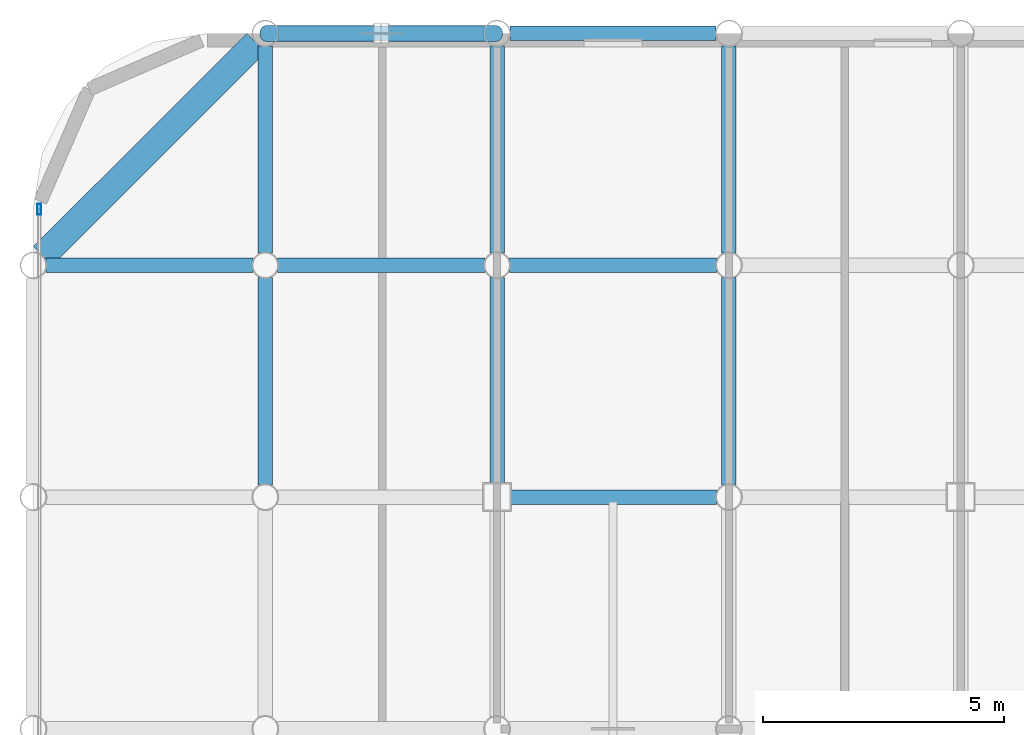
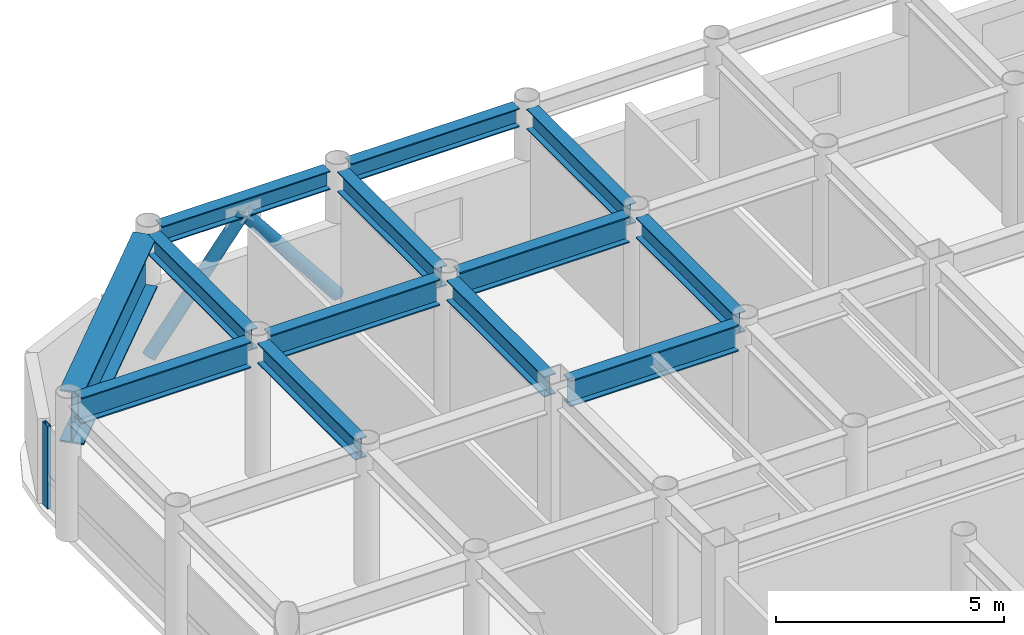
# One storey, part 12 of 22: 13 beams, 3 members, 1 element without a shape of its own.
"""IFC4 building model written with IfcOpenShell, lengths in metres."""

from ifc_helpers import new_model, si_unit, direction, frame, origin, origin_2d, place, context, subcontext, project, spatial, hollow_rectangle, hollow_circle, i_section, extrude, material, layer, layer_set, material_profile, profile_set, type_object, element, aggregate, save


model = new_model("IFC4")

# Units and contexts
model_context = context("Model", 3, precision=1e-05, world=origin(), true_north=direction((0.0, 1.0)))
body_context = subcontext(model_context, "Body", "Model", "MODEL_VIEW")
ifc_project = project(units=[si_unit("LENGTHUNIT", "METRE"), si_unit("AREAUNIT", "SQUARE_METRE"), si_unit("VOLUMEUNIT", "CUBIC_METRE"), si_unit("PLANEANGLEUNIT", "RADIAN"), si_unit("MASSUNIT", "GRAM", prefix="KILO")], contexts=[model_context])

# Site, building, storey
site_placement = place(None, origin())
site = spatial("IfcSite", under=ifc_project, at=site_placement, CompositionType="ELEMENT")
building_placement = place(site_placement, origin())
building = spatial("IfcBuilding", under=site, at=building_placement, Name="Kallvorn Hotel Tower", CompositionType="ELEMENT")
storey_placement = place(building_placement, frame((0.0, 0.0, 256.949951171875)))
storey = spatial("IfcBuildingStorey", under=building, at=storey_placement, Name="L64", CompositionType="ELEMENT", Elevation=256.949951171875)

# Beams
ifc_material_1 = material(Name="Structural steel S355JR", Category="steel")
ifc_material_profile_1 = material_profile(ifc_material_1, i_section(OverallWidth=0.300048828125, OverallDepth=0.5, WebThickness=0.014404296875, FlangeThickness=0.028076171875, at=origin_2d()), Name="HE 500 B")
ifc_profile_set_1 = profile_set([ifc_material_profile_1], Name="Structural steel S355JR")
beam_type_1 = type_object("IfcBeamType", Name="BM_HE500B", PredefinedType="SPANDREL", material=ifc_profile_set_1)
for number, where, z_axis, x_axis, name in (
    (1, (-28.530517578125, 24.0, 3.420166015625), (1.0, 0.0, 0.0), (0.0, 1.0, 0.0), "L65 Perimeter Spandrel 163"),
    (2, (-23.73046875, 24.0, 3.420166015625), (1.0, 0.0, 0.0), (0.0, 1.0, 0.0), "L65 Perimeter Spandrel 164"),
):
    element("IfcBeam", number, at=place(storey_placement, frame(where, z_axis=z_axis, x_axis=x_axis)), inside=storey, type_object=beam_type_1, Name=name, PredefinedType="SPANDREL", context=body_context, shape_type="SweptSolid", body=[
        extrude(i_section(OverallWidth=0.300048828125, OverallDepth=0.5, WebThickness=0.014404296875, FlangeThickness=0.028076171875, at=origin_2d()), origin(), (0.0, 0.0, 1.0), 4.260986328125),
    ])
ifc_material_2 = material(Name="Structural steel S355JR", Category="steel")
ifc_material_profile_2 = material_profile(ifc_material_2, i_section(OverallWidth=0.300048828125, OverallDepth=0.550048828125, WebThickness=0.014892578125, FlangeThickness=0.029052734375, at=origin_2d()), Name="HE 550 B")
ifc_profile_set_2 = profile_set([ifc_material_profile_2], Name="Structural steel S355JR")
beam_type_2 = type_object("IfcBeamType", Name="BM_HE550B", PredefinedType="SPANDREL", material=ifc_profile_set_2)
for number, where, z_axis, x_axis, name in (
    (3, (-28.800048828125, 14.654541015625, 3.39501953125), (0.0, 1.0, 0.0), (-1.0, 0.0, 0.0), "L65 Primary Y-Girder 80"),
    (4, (-28.800048828125, 19.45458984375, 3.39501953125), (0.0, 1.0, 0.0), (-1.0, 0.0, 0.0), "L65 Primary Y-Girder 81"),
):
    element("IfcBeam", number, at=place(storey_placement, frame(where, z_axis=z_axis, x_axis=x_axis)), inside=storey, type_object=beam_type_2, Name=name, PredefinedType="SPANDREL", context=body_context, shape_type="SweptSolid", body=[
        extrude(i_section(OverallWidth=0.300048828125, OverallDepth=0.550048828125, WebThickness=0.014892578125, FlangeThickness=0.029052734375, at=origin_2d()), origin(), (0.0, 0.0, 1.0), 4.291015625),
    ])
beam_1_placement = place(storey_placement, frame((-24.0, 14.675048828125, 3.39501953125), z_axis=(0.0, 1.0, 0.0), x_axis=(-1.0, 0.0, 0.0)))
element("IfcBeam", 5, at=beam_1_placement, inside=storey, type_object=beam_type_2, Name="L65 Primary Y-Girder 87", PredefinedType="SPANDREL", context=body_context, shape_type="SweptSolid", body=[
    extrude(i_section(OverallWidth=0.300048828125, OverallDepth=0.550048828125, WebThickness=0.014892578125, FlangeThickness=0.029052734375, at=origin_2d()), origin(), (0.0, 0.0, 1.0), 4.2705078125),
])
for number, where, z_axis, x_axis, name in (
    (6, (-24.0, 19.45458984375, 3.39501953125), (0.0, 1.0, 0.0), (-1.0, 0.0, 0.0), "L65 Primary Y-Girder 88"),
    (7, (-19.199951171875, 14.654541015625, 3.39501953125), (0.0, 1.0, 0.0), (-1.0, 0.0, 0.0), "L65 Primary Y-Girder 96"),
    (8, (-19.199951171875, 19.45458984375, 3.39501953125), (0.0, 1.0, 0.0), (-1.0, 0.0, 0.0), "L65 Primary Y-Girder 97"),
):
    element("IfcBeam", number, at=place(storey_placement, frame(where, z_axis=z_axis, x_axis=x_axis)), inside=storey, type_object=beam_type_2, Name=name, PredefinedType="SPANDREL", context=body_context, shape_type="SweptSolid", body=[
        extrude(i_section(OverallWidth=0.300048828125, OverallDepth=0.550048828125, WebThickness=0.014892578125, FlangeThickness=0.029052734375, at=origin_2d()), origin(), (0.0, 0.0, 1.0), 4.291015625),
    ])
ifc_material_3 = material(Name="Structural steel S355JR", Category="steel")
ifc_material_profile_3 = material_profile(ifc_material_3, i_section(OverallWidth=0.300048828125, OverallDepth=0.699951171875, WebThickness=0.01708984375, FlangeThickness=0.031982421875, at=origin_2d()), Name="HE 700 B")
ifc_profile_set_3 = profile_set([ifc_material_profile_3], Name="Structural steel S355JR")
beam_type_3 = type_object("IfcBeamType", Name="BM_HE700B", PredefinedType="BEAM", material=ifc_profile_set_3)
beam_2_placement = place(storey_placement, frame((-23.72509765625, 14.39990234375, 3.320068359375), z_axis=(1.0, 0.0, 0.0), x_axis=(0.0, 1.0, 0.0)))
element("IfcBeam", 9, at=beam_2_placement, inside=storey, type_object=beam_type_3, Name="L65 Primary X-Girder 52", PredefinedType="BEAM", context=body_context, shape_type="SweptSolid", body=[
    extrude(i_section(OverallWidth=0.300048828125, OverallDepth=0.699951171875, WebThickness=0.01708984375, FlangeThickness=0.031982421875, at=origin_2d()), origin(), (0.0, 0.0, 1.0), 4.2705078125),
])
for number, where, z_axis, x_axis, name in (
    (10, (-33.345458984375, 19.199951171875, 3.320068359375), (1.0, 0.0, 0.0), (0.0, 1.0, 0.0), "L65 Primary X-Girder 60"),
    (11, (-28.54541015625, 19.199951171875, 3.320068359375), (1.0, 0.0, 0.0), (0.0, 1.0, 0.0), "L65 Primary X-Girder 61"),
    (12, (-23.74560546875, 19.199951171875, 3.320068359375), (1.0, 0.0, 0.0), (0.0, 1.0, 0.0), "L65 Primary X-Girder 62"),
):
    element("IfcBeam", number, at=place(storey_placement, frame(where, z_axis=z_axis, x_axis=x_axis)), inside=storey, type_object=beam_type_3, Name=name, PredefinedType="BEAM", context=body_context, shape_type="SweptSolid", body=[
        extrude(i_section(OverallWidth=0.300048828125, OverallDepth=0.699951171875, WebThickness=0.01708984375, FlangeThickness=0.031982421875, at=origin_2d()), origin(), (0.0, 0.0, 1.0), 4.291015625),
    ])
ifc_material_4 = material(Name="Structural steel S355JR", Category="steel")
ifc_material_profile_4 = material_profile(ifc_material_4, i_section(OverallWidth=0.550048828125, OverallDepth=1.39990234375, WebThickness=0.02490234375, FlangeThickness=0.044921875, at=origin_2d()), Name="PG 1400x550x25x45")
ifc_profile_set_4 = profile_set([ifc_material_profile_4], Name="Structural steel S355JR")
beam_type_4 = type_object("IfcBeamType", Name="BM_PG_1400", PredefinedType="BEAM", material=ifc_profile_set_4)
beam_3_placement = place(storey_placement, frame((-33.409423828125, 19.390625, 2.969970703125), z_axis=(0.707126314793, 0.707087247041, 0.0), x_axis=(-0.707087247041, 0.707126314793, 0.0)))
element("IfcBeam", 13, at=beam_3_placement, inside=storey, type_object=beam_type_4, Name="L65 Rounded Corner Tie Beam 190", PredefinedType="BEAM", context=body_context, shape_type="SweptSolid", body=[
    extrude(i_section(OverallWidth=0.550048828125, OverallDepth=1.39990234375, WebThickness=0.02490234375, FlangeThickness=0.044921875, at=origin_2d()), origin(), (0.0, 0.0, 1.0), 6.249267578125),
])

# Curtain wall, member
ifc_material_5 = material(Name="Thermally broken black-anodised aluminium AA 6063-T6", Category="aluminium")
ifc_layer = layer(ifc_material_5, 0.22998046875)
ifc_layer_set = layer_set([ifc_layer], Name="CW_SYS_5_HOTEL_HIGH")
curtain_wall_type = type_object("IfcCurtainWallType", Name="CW_SYS_5_HOTEL_HIGH", PredefinedType="USERDEFINED", material=ifc_layer_set)
curtain_wall_placement = place(storey_placement, origin())
curtain_wall = element("IfcCurtainWall", 14, at=curtain_wall_placement, inside=storey, type_object=curtain_wall_type, Name="L64 Dark-Glass Curtain Wall CW-L64-WN", ObjectType="UNITISED CURTAIN WALL", PredefinedType="USERDEFINED")
ifc_material_6 = material(Name="Thermally broken black-anodised aluminium AA 6063-T6", Category="aluminium")
ifc_material_profile_5 = material_profile(ifc_material_6, hollow_rectangle(XDim=0.080078125, YDim=0.219970703125, WallThickness=0.0048828125, at=origin_2d()), Name="MUL 220x80")
ifc_profile_set_5 = profile_set([ifc_material_profile_5], Name="Thermally broken black-anodised aluminium AA 6063-T6")
member_type_1 = type_object("IfcMemberType", Name="CW_MULLION_220x80", PredefinedType="MULLION", material=ifc_profile_set_5)
member_placement = place(storey_placement, frame((-33.47998046875, 20.360107421875, 0.02001953125), z_axis=(0.0, 0.0, 1.0), x_axis=(1.0, 0.0, 0.0)))
member = element("IfcMember", 15, at=member_placement, type_object=member_type_1, Name="CW-L64-WN Mullion 01", PredefinedType="MULLION", context=body_context, shape_type="SweptSolid", body=[
    extrude(hollow_rectangle(XDim=0.080078125, YDim=0.219970703125, WallThickness=0.0048828125, at=origin_2d()), origin(), (0.0, 0.0, 1.0), 2.22998046875),
])
aggregate(curtain_wall, [member])

# Members
ifc_material_7 = material(Name="Structural steel S355J2H", Category="steel")
ifc_material_profile_6 = material_profile(ifc_material_7, hollow_circle(Radius=0.161865234375, WallThickness=0.012451171875, at=origin_2d()), Name="CHS 323.9x12.5")
ifc_profile_set_6 = profile_set([ifc_material_profile_6], Name="Structural steel S355J2H")
member_type_2 = type_object("IfcMemberType", Name="MBR_EXO_CHS323", PredefinedType="BRACE", material=ifc_profile_set_6)
for number, where, z_axis, x_axis, name in (
    (16, (-28.78759765625, 24.0, 0.19580078125), (0.620928510901, 0.0, 0.783867198159), (0.0, 1.0, 0.0), "L64 Exoskeleton K-Brace N1A"),
    (17, (-24.012451171875, 24.0, 0.19580078125), (-0.620928510901, 0.0, 0.783867198159), (0.0, -1.0, 0.0), "L64 Exoskeleton K-Brace N1B"),
):
    element("IfcMember", number, at=place(storey_placement, frame(where, z_axis=z_axis, x_axis=x_axis)), inside=storey, type_object=member_type_2, Name=name, PredefinedType="BRACE", context=body_context, shape_type="SweptSolid", body=[
        extrude(hollow_circle(Radius=0.161865234375, WallThickness=0.012451171875, at=origin_2d()), origin(), (0.0, 0.0, 1.0), 3.8251953125),
    ])

save(model, "model.ifc")
